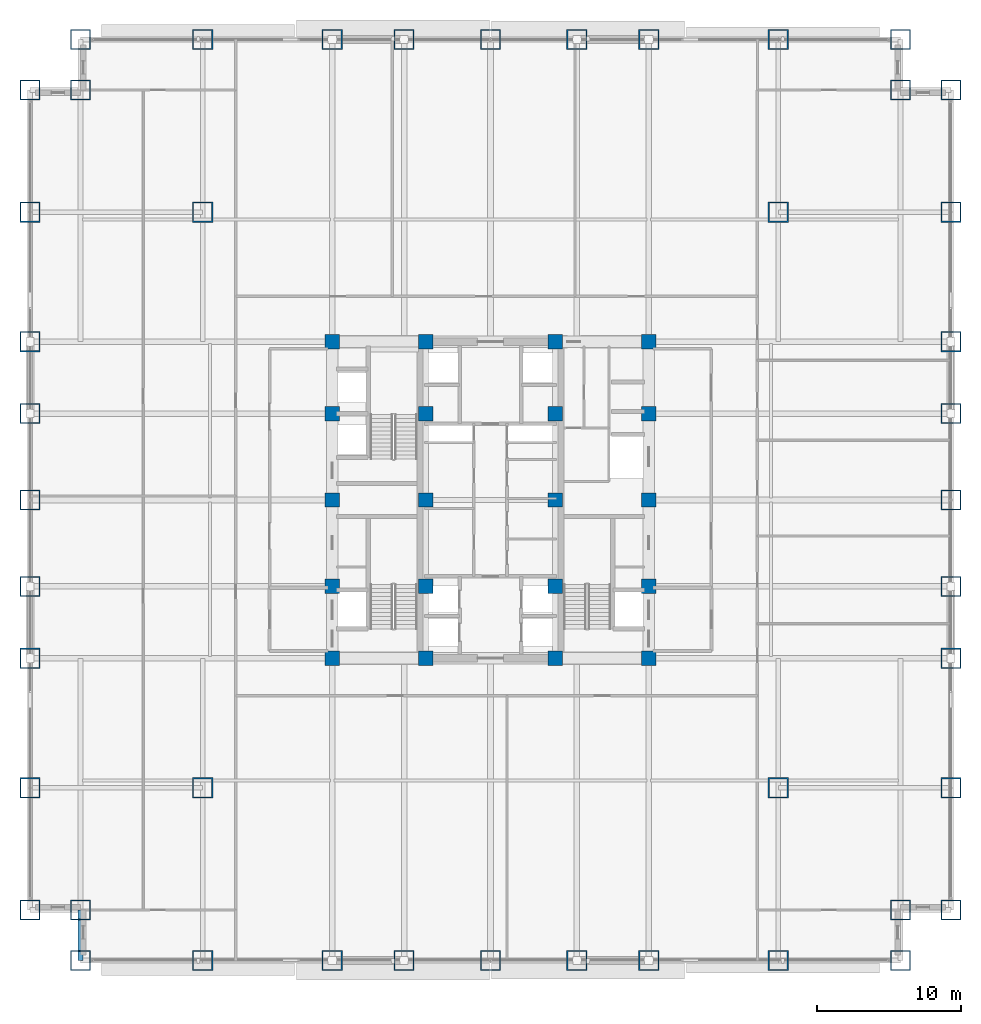
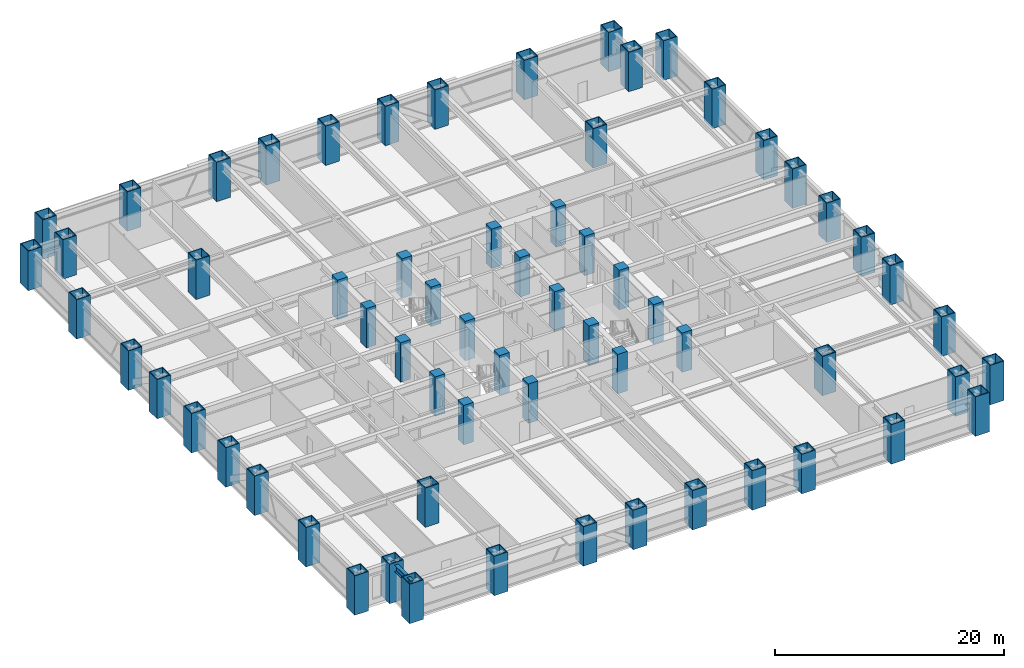
# One storey, part 1 of 32: 64 columns, 1 beam.
"""IFC4 building model written with IfcOpenShell, lengths in metres."""

from ifc_helpers import new_model, si_unit, direction, frame, origin, origin_2d, place, context, subcontext, project, spatial, rectangle, hollow_rectangle, i_section, extrude, source, transform, mapped, material, material_profile, profile_set, type_object, element, save


model = new_model("IFC4")

# Units and contexts
model_context = context("Model", 3, precision=1e-05, world=origin(), true_north=direction((0.0, 1.0)))
body_context = subcontext(model_context, "Body", "Model", "MODEL_VIEW")
ifc_project = project(units=[si_unit("LENGTHUNIT", "METRE"), si_unit("AREAUNIT", "SQUARE_METRE"), si_unit("VOLUMEUNIT", "CUBIC_METRE"), si_unit("PLANEANGLEUNIT", "RADIAN"), si_unit("MASSUNIT", "GRAM", prefix="KILO")], contexts=[model_context])

# Site, building, storey
site_placement = place(None, origin())
site = spatial("IfcSite", under=ifc_project, at=site_placement, CompositionType="ELEMENT")
building_placement = place(site_placement, origin())
building = spatial("IfcBuilding", under=site, at=building_placement, Name="Khorayat Bourse Tower", CompositionType="ELEMENT")
storey_placement = place(building_placement, frame((0.0, 0.0, 74.60009765625)))
storey = spatial("IfcBuildingStorey", under=building, at=storey_placement, Name="L16", CompositionType="ELEMENT", Elevation=74.60009765625)

# Columns
ifc_material_1 = material(Name="Steel EN 10025-4 S460M", Category="steel")
ifc_material_profile_1 = material_profile(ifc_material_1, hollow_rectangle(XDim=1.39990234375, YDim=1.39990234375, WallThickness=0.074951171875, at=origin_2d()), Name="BOX 1400x1400x75")
ifc_profile_set_1 = profile_set([ifc_material_profile_1], Name="Steel EN 10025-4 S460M")
column_type_1 = type_object("IfcColumnType", Name="COL-TUBE-1400", PredefinedType="COLUMN", material=ifc_profile_set_1)
shared_shape_1 = source(origin(), body_context, "Body", "SweptSolid", [
    extrude(hollow_rectangle(XDim=1.39990234375, YDim=1.39990234375, WallThickness=0.074951171875, at=origin_2d()), origin(), (0.0, 0.0, 1.0), 4.199951171875),
])
for number, where, z_axis, x_axis, name in (
    (1, (-32.0, -28.5, 0.0), (0.0, 0.0, 1.0), (1.0, 0.0, 0.0), "L16 Column 001"),
    (2, (-32.0, -20.0, 0.0), (0.0, 0.0, 1.0), (1.0, 0.0, 0.0), "L16 Column 002"),
    (3, (-32.0, -11.0, 0.0), (0.0, 0.0, 1.0), (1.0, 0.0, 0.0), "L16 Column 003"),
    (4, (-32.0, -6.0, 0.0), (0.0, 0.0, 1.0), (1.0, 0.0, 0.0), "L16 Column 004"),
    (5, (-32.0, 0.0, 0.0), (0.0, 0.0, 1.0), (1.0, 0.0, 0.0), "L16 Column 005"),
    (6, (-32.0, 6.0, 0.0), (0.0, 0.0, 1.0), (1.0, 0.0, 0.0), "L16 Column 006"),
    (7, (-32.0, 11.0, 0.0), (0.0, 0.0, 1.0), (1.0, 0.0, 0.0), "L16 Column 007"),
    (8, (-32.0, 20.0, 0.0), (0.0, 0.0, 1.0), (1.0, 0.0, 0.0), "L16 Column 008"),
    (9, (-32.0, 28.5, 0.0), (0.0, 0.0, 1.0), (1.0, 0.0, 0.0), "L16 Column 009"),
    (10, (-28.5, -32.0, 0.0), (0.0, 0.0, 1.0), (1.0, 0.0, 0.0), "L16 Column 010"),
    (11, (-28.5, -28.5, 0.0), (0.0, 0.0, 1.0), (1.0, 0.0, 0.0), "L16 Column 011"),
    (12, (-28.5, 28.5, 0.0), (0.0, 0.0, 1.0), (1.0, 0.0, 0.0), "L16 Column 012"),
    (13, (-28.5, 32.0, 0.0), (0.0, 0.0, 1.0), (1.0, 0.0, 0.0), "L16 Column 013"),
    (14, (-20.0, -32.0, 0.0), (0.0, 0.0, 1.0), (1.0, 0.0, 0.0), "L16 Column 014"),
    (15, (-20.0, -20.0, 0.0), (0.0, 0.0, 1.0), (1.0, 0.0, 0.0), "L16 Column 015"),
    (16, (-20.0, 20.0, 0.0), (0.0, 0.0, 1.0), (1.0, 0.0, 0.0), "L16 Column 016"),
    (17, (-20.0, 32.0, 0.0), (0.0, 0.0, 1.0), (1.0, 0.0, 0.0), "L16 Column 017"),
    (18, (-11.0, -32.0, 0.0), (0.0, 0.0, 1.0), (1.0, 0.0, 0.0), "L16 Column 018"),
    (19, (-11.0, 32.0, 0.0), (0.0, 0.0, 1.0), (1.0, 0.0, 0.0), "L16 Column 024"),
    (20, (-6.0, -32.0, 0.0), (0.0, 0.0, 1.0), (1.0, 0.0, 0.0), "L16 Column 025"),
    (21, (-6.0, 32.0, 0.0), (0.0, 0.0, 1.0), (1.0, 0.0, 0.0), "L16 Column 026"),
    (22, (0.0, -32.0, 0.0), (0.0, 0.0, 1.0), (1.0, 0.0, 0.0), "L16 Column 032"),
    (23, (0.0, 32.0, 0.0), (0.0, 0.0, 1.0), (1.0, 0.0, 0.0), "L16 Column 033"),
    (24, (6.0, -32.0, 0.0), (0.0, 0.0, 1.0), (1.0, 0.0, 0.0), "L16 Column 039"),
    (25, (6.0, 32.0, 0.0), (0.0, 0.0, 1.0), (1.0, 0.0, 0.0), "L16 Column 040"),
    (26, (11.0, -32.0, 0.0), (0.0, 0.0, 1.0), (1.0, 0.0, 0.0), "L16 Column 041"),
    (27, (11.0, 32.0, 0.0), (0.0, 0.0, 1.0), (1.0, 0.0, 0.0), "L16 Column 047"),
    (28, (20.0, -32.0, 0.0), (0.0, 0.0, 1.0), (1.0, 0.0, 0.0), "L16 Column 048"),
    (29, (20.0, -20.0, 0.0), (0.0, 0.0, 1.0), (1.0, 0.0, 0.0), "L16 Column 049"),
    (30, (20.0, 20.0, 0.0), (0.0, 0.0, 1.0), (1.0, 0.0, 0.0), "L16 Column 050"),
    (31, (20.0, 32.0, 0.0), (0.0, 0.0, 1.0), (1.0, 0.0, 0.0), "L16 Column 051"),
    (32, (28.5, -32.0, 0.0), (0.0, 0.0, 1.0), (1.0, 0.0, 0.0), "L16 Column 052"),
    (33, (28.5, -28.5, 0.0), (0.0, 0.0, 1.0), (1.0, 0.0, 0.0), "L16 Column 053"),
    (34, (28.5, 28.5, 0.0), (0.0, 0.0, 1.0), (1.0, 0.0, 0.0), "L16 Column 054"),
    (35, (28.5, 32.0, 0.0), (0.0, 0.0, 1.0), (1.0, 0.0, 0.0), "L16 Column 055"),
    (36, (32.0, -28.5, 0.0), (0.0, 0.0, 1.0), (1.0, 0.0, 0.0), "L16 Column 056"),
    (37, (32.0, -20.0, 0.0), (0.0, 0.0, 1.0), (1.0, 0.0, 0.0), "L16 Column 057"),
    (38, (32.0, -11.0, 0.0), (0.0, 0.0, 1.0), (1.0, 0.0, 0.0), "L16 Column 058"),
    (39, (32.0, -6.0, 0.0), (0.0, 0.0, 1.0), (1.0, 0.0, 0.0), "L16 Column 059"),
    (40, (32.0, 0.0, 0.0), (0.0, 0.0, 1.0), (1.0, 0.0, 0.0), "L16 Column 060"),
    (41, (32.0, 6.0, 0.0), (0.0, 0.0, 1.0), (1.0, 0.0, 0.0), "L16 Column 061"),
    (42, (32.0, 11.0, 0.0), (0.0, 0.0, 1.0), (1.0, 0.0, 0.0), "L16 Column 062"),
    (43, (32.0, 20.0, 0.0), (0.0, 0.0, 1.0), (1.0, 0.0, 0.0), "L16 Column 063"),
    (44, (32.0, 28.5, 0.0), (0.0, 0.0, 1.0), (1.0, 0.0, 0.0), "L16 Column 064"),
):
    element("IfcColumn", number, at=place(storey_placement, frame(where, z_axis=z_axis, x_axis=x_axis)), inside=storey, type_object=column_type_1, Name=name, PredefinedType="COLUMN", context=body_context, shape_type="MappedRepresentation", body=[
        mapped(shared_shape_1, transform((0.0, 0.0, 0.0), scale=1.0)),
    ])
ifc_material_2 = material(Name="Concrete C72/90", Category="concrete")
ifc_material_profile_2 = material_profile(ifc_material_2, rectangle(XDim=1.0, YDim=1.0, at=origin_2d()), Name="RC 1000x1000")
ifc_profile_set_2 = profile_set([ifc_material_profile_2], Name="Concrete C72/90")
column_type_2 = type_object("IfcColumnType", Name="COL-CORE-1000", PredefinedType="COLUMN", material=ifc_profile_set_2)
shared_shape_2 = source(origin(), body_context, "Body", "SweptSolid", [
    extrude(rectangle(XDim=1.0, YDim=1.0, at=origin_2d()), origin(), (0.0, 0.0, 1.0), 4.199951171875),
])
for number, where, z_axis, x_axis, name in (
    (45, (-11.0, -11.0, 0.0), (0.0, 0.0, 1.0), (1.0, 0.0, 0.0), "L16 Column 019"),
    (46, (-11.0, -6.0, 0.0), (0.0, 0.0, 1.0), (1.0, 0.0, 0.0), "L16 Column 020"),
    (47, (-11.0, 0.0, 0.0), (0.0, 0.0, 1.0), (1.0, 0.0, 0.0), "L16 Column 021"),
    (48, (-11.0, 6.0, 0.0), (0.0, 0.0, 1.0), (1.0, 0.0, 0.0), "L16 Column 022"),
    (49, (-11.0, 11.0, 0.0), (0.0, 0.0, 1.0), (1.0, 0.0, 0.0), "L16 Column 023"),
    (50, (-4.5, -11.0, 0.0), (0.0, 0.0, 1.0), (1.0, 0.0, 0.0), "L16 Column 027"),
    (51, (-4.5, -6.0, 0.0), (0.0, 0.0, 1.0), (1.0, 0.0, 0.0), "L16 Column 028"),
    (52, (-4.5, 0.0, 0.0), (0.0, 0.0, 1.0), (1.0, 0.0, 0.0), "L16 Column 029"),
    (53, (-4.5, 6.0, 0.0), (0.0, 0.0, 1.0), (1.0, 0.0, 0.0), "L16 Column 030"),
    (54, (-4.5, 11.0, 0.0), (0.0, 0.0, 1.0), (1.0, 0.0, 0.0), "L16 Column 031"),
    (55, (4.5, -11.0, 0.0), (0.0, 0.0, 1.0), (1.0, 0.0, 0.0), "L16 Column 034"),
    (56, (4.5, -6.0, 0.0), (0.0, 0.0, 1.0), (1.0, 0.0, 0.0), "L16 Column 035"),
    (57, (4.5, 0.0, 0.0), (0.0, 0.0, 1.0), (1.0, 0.0, 0.0), "L16 Column 036"),
    (58, (4.5, 6.0, 0.0), (0.0, 0.0, 1.0), (1.0, 0.0, 0.0), "L16 Column 037"),
    (59, (4.5, 11.0, 0.0), (0.0, 0.0, 1.0), (1.0, 0.0, 0.0), "L16 Column 038"),
    (60, (11.0, -11.0, 0.0), (0.0, 0.0, 1.0), (1.0, 0.0, 0.0), "L16 Column 042"),
    (61, (11.0, -6.0, 0.0), (0.0, 0.0, 1.0), (1.0, 0.0, 0.0), "L16 Column 043"),
    (62, (11.0, 0.0, 0.0), (0.0, 0.0, 1.0), (1.0, 0.0, 0.0), "L16 Column 044"),
    (63, (11.0, 6.0, 0.0), (0.0, 0.0, 1.0), (1.0, 0.0, 0.0), "L16 Column 045"),
    (64, (11.0, 11.0, 0.0), (0.0, 0.0, 1.0), (1.0, 0.0, 0.0), "L16 Column 046"),
):
    element("IfcColumn", number, at=place(storey_placement, frame(where, z_axis=z_axis, x_axis=x_axis)), inside=storey, type_object=column_type_2, Name=name, PredefinedType="COLUMN", context=body_context, shape_type="MappedRepresentation", body=[
        mapped(shared_shape_2, transform((0.0, 0.0, 0.0), scale=1.0)),
    ])

# Beam
ifc_material_3 = material(Name="Steel ASTM A992 Grade 50", Category="steel")
ifc_material_profile_3 = material_profile(ifc_material_3, i_section(OverallWidth=0.35498046875, OverallDepth=0.695068359375, WebThickness=0.015380859375, FlangeThickness=0.02490234375, FilletRadius=0.01806640625, at=origin_2d()), Name="W690X217")
ifc_profile_set_3 = profile_set([ifc_material_profile_3], Name="Steel ASTM A992 Grade 50")
beam_type = type_object("IfcBeamType", Name="BM-SPAN-690", PredefinedType="SPANDREL", material=ifc_profile_set_3)
shared_shape_3 = source(origin(), body_context, "Body", "SweptSolid", [
    extrude(i_section(OverallWidth=0.35498046875, OverallDepth=0.695068359375, WebThickness=0.015380859375, FlangeThickness=0.02490234375, FilletRadius=0.01806640625, at=origin_2d()), origin(), (0.0, 0.0, 1.0), 3.5),
])
beam_placement = place(storey_placement, frame((-28.5, -32.0, 3.59228515625), z_axis=(0.0, 1.0, 0.0), x_axis=(-1.0, 0.0, 0.0)))
element("IfcBeam", 65, at=beam_placement, inside=storey, type_object=beam_type, Name="L16 BM-SPAN-690 BM-L16-SPN-063", PredefinedType="SPANDREL", context=body_context, shape_type="MappedRepresentation", body=[
    mapped(shared_shape_3, transform((0.0, 0.0, 0.0), scale=1.0)),
])

save(model, "model.ifc")
